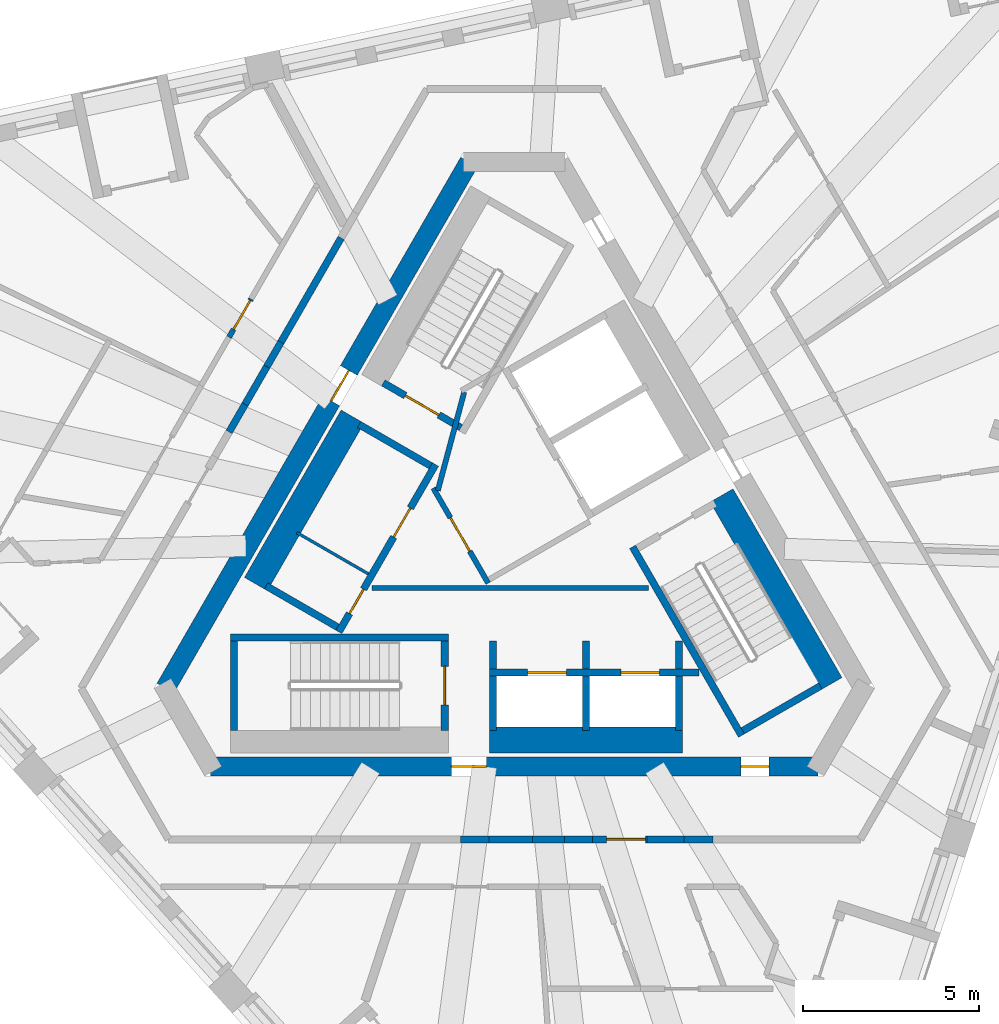
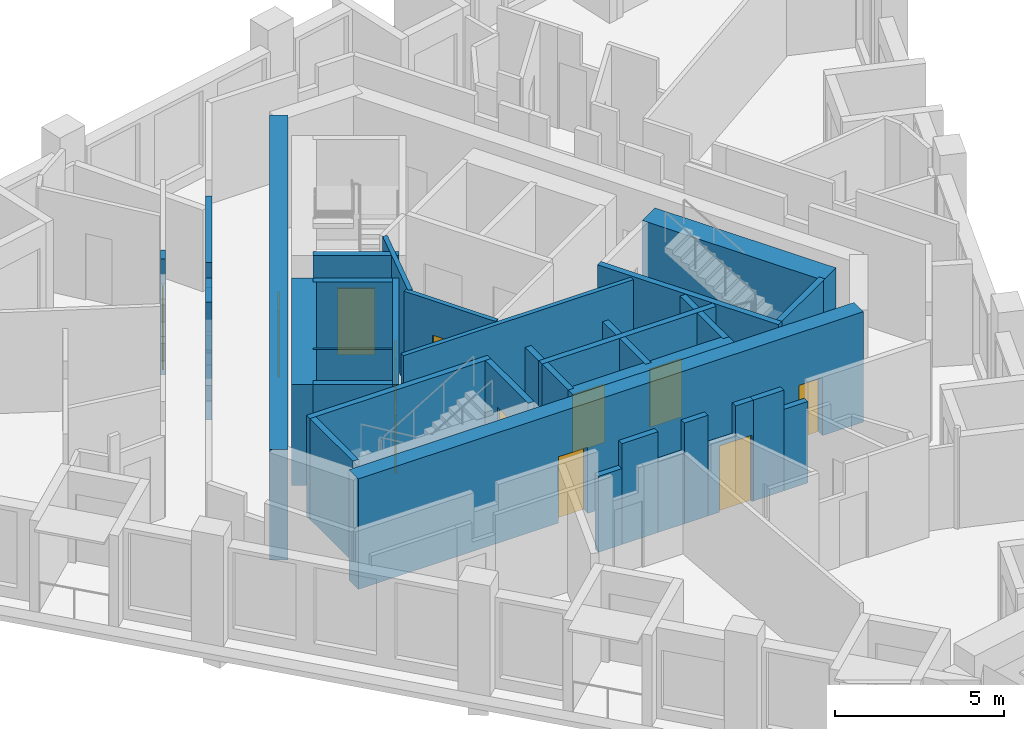
# One storey, part 4 of 12: 37 walls, 12 doors, 12 openings.
"""IFC4 building model written with IfcOpenShell, lengths in metres."""

from ifc_helpers import new_model, si_unit, direction, frame, frame_2d, origin, place, context, subcontext, project, spatial, polyline, rectangle, outline, extrude, material, layer, layer_set, type_object, element, fill, save


model = new_model("IFC4")

# Units and contexts
model_context = context("Model", 3, precision=1e-05, world=origin(), true_north=direction((0.0, 1.0)))
body_context = subcontext(model_context, "Body", "Model", "MODEL_VIEW")
ifc_project = project(units=[si_unit("LENGTHUNIT", "METRE"), si_unit("AREAUNIT", "SQUARE_METRE"), si_unit("VOLUMEUNIT", "CUBIC_METRE"), si_unit("PLANEANGLEUNIT", "RADIAN"), si_unit("MASSUNIT", "GRAM", prefix="KILO")], contexts=[model_context])

# Site, building, storey
site_placement = place(None, origin())
site = spatial("IfcSite", under=ifc_project, at=site_placement, CompositionType="ELEMENT")
building_placement = place(site_placement, origin())
building = spatial("IfcBuilding", under=site, at=building_placement, Name="Tramontana Tower", CompositionType="ELEMENT")
storey_placement = place(building_placement, frame((0.0, 0.0, 340.39990234375)))
storey = spatial("IfcBuildingStorey", under=building, at=storey_placement, Name="L78", CompositionType="ELEMENT", Elevation=340.39990234375)

# Wall, opening, door
ifc_material_1 = material(Name="Concrete 70 MPa", Category="concrete")
ifc_layer_1 = layer(ifc_material_1, 0.550048828125)
ifc_layer_set_1 = layer_set([ifc_layer_1], Name="Core wall 550 70 MPa")
wall_type_1 = type_object("IfcWallType", Name="Core wall 550 70 MPa", PredefinedType="SHEAR", material=ifc_layer_set_1)
wall_1_placement = place(storey_placement, frame((-1.28466796875, 10.72509765625, 0.0), z_axis=(0.0, 0.0, 1.0), x_axis=(-0.499994590896, -0.86602852671, 0.0)))
wall_1 = element("IfcWall", 1, at=wall_1_placement, inside=storey, type_object=wall_type_1, Name="Core wall C1 L78", PredefinedType="SHEAR", context=body_context, shape_type="SweptSolid", body=[
    extrude(rectangle(XDim=17.291748046875, YDim=0.550048828125, at=frame_2d((8.64599609375, 0.0))), origin(), (0.0, 0.0, 1.0), 4.0),
])
opening_1_placement = place(wall_1_placement, frame((6.850830078125, 0.0, 0.0)))
opening_1 = element("IfcOpeningElement", 2, at=opening_1_placement, cuts=wall_1, Name="Opening RG1", PredefinedType="OPENING", context=body_context, shape_type="SweptSolid", body=[
    extrude(rectangle(XDim=1.0, YDim=2.39990234375, at=frame_2d((0.5, 1.199951171875))), frame((0.0, 0.284912109375, 0.0), z_axis=(0.0, -1.0, 0.0), x_axis=(1.0, 0.0, 0.0)), (0.0, 0.0, 1.0), 0.570068359375),
])
ifc_material_2 = material(Name="Painted steel", Category="steel")
door_type_1 = type_object("IfcDoorType", Name="RING DOOR 1000", OperationType="SINGLE_SWING_LEFT", PredefinedType="DOOR", material=ifc_material_2)
door_1_placement = place(opening_1_placement, origin())
door_1 = element("IfcDoor", 3, at=door_1_placement, inside=storey, type_object=door_type_1, Name="Door RG1", OperationType="SINGLE_SWING_RIGHT", OverallHeight=2.39990234375, OverallWidth=1.0, PredefinedType="DOOR", context=body_context, shape_type="SweptSolid", body=[
    extrude(rectangle(XDim=1.0, YDim=2.39990234375, at=frame_2d((0.5, 1.199951171875))), frame((0.0, 0.02490234375, 0.0), z_axis=(0.0, -1.0, 0.0), x_axis=(1.0, 0.0, 0.0)), (0.0, 0.0, 1.0), 0.050048828125),
])
fill(opening_1, door_1)

# Wall, openings, doors
wall_2_placement = place(storey_placement, frame((-8.645751953125, -6.47509765625, 0.0), z_axis=(0.0, 0.0, 1.0), x_axis=(1.0, 0.0, 0.0)))
wall_2 = element("IfcWall", 4, at=wall_2_placement, inside=storey, type_object=wall_type_1, Name="Core wall C3 L78", PredefinedType="SHEAR", context=body_context, shape_type="SweptSolid", body=[
    extrude(rectangle(XDim=17.29150390625, YDim=0.550048828125, at=frame_2d((8.645751953125, 0.0))), origin(), (0.0, 0.0, 1.0), 4.0),
])
opening_2_placement = place(wall_2_placement, frame((6.850830078125, 0.0, 0.0)))
opening_2 = element("IfcOpeningElement", 5, at=opening_2_placement, cuts=wall_2, Name="Opening RG2", PredefinedType="OPENING", context=body_context, shape_type="SweptSolid", body=[
    extrude(rectangle(XDim=1.0, YDim=2.39990234375, at=frame_2d((0.5, 1.199951171875))), frame((0.0, 0.284912109375, 0.0), z_axis=(0.0, -1.0, 0.0), x_axis=(1.0, 0.0, 0.0)), (0.0, 0.0, 1.0), 0.570068359375),
])
opening_3_placement = place(wall_2_placement, frame((15.088623046875, 0.0, 0.0)))
opening_3 = element("IfcOpeningElement", 6, at=opening_3_placement, cuts=wall_2, Name="Opening PD2", PredefinedType="OPENING", context=body_context, shape_type="SweptSolid", body=[
    extrude(rectangle(XDim=0.800048828125, YDim=2.10009765625, at=frame_2d((0.39990234375, 1.050048828125))), frame((0.0, 0.284912109375, 0.0), z_axis=(0.0, -1.0, 0.0), x_axis=(1.0, 0.0, 0.0)), (0.0, 0.0, 1.0), 0.570068359375),
])
ifc_material_3 = material(Name="Painted steel", Category="steel")
door_type_2 = type_object("IfcDoorType", Name="CUPBOARD DOOR 800", OperationType="SINGLE_SWING_LEFT", PredefinedType="DOOR", material=ifc_material_3)
door_2_placement = place(opening_3_placement, origin())
door_2 = element("IfcDoor", 7, at=door_2_placement, inside=storey, type_object=door_type_2, Name="Door PD2", OperationType="SINGLE_SWING_LEFT", OverallHeight=2.10009765625, OverallWidth=0.800048828125, PredefinedType="DOOR", context=body_context, shape_type="SweptSolid", body=[
    extrude(rectangle(XDim=0.800048828125, YDim=2.10009765625, at=frame_2d((0.39990234375, 1.050048828125))), frame((0.0, 0.02490234375, 0.0), z_axis=(0.0, -1.0, 0.0), x_axis=(1.0, 0.0, 0.0)), (0.0, 0.0, 1.0), 0.050048828125),
])
fill(opening_3, door_2)
door_3_placement = place(opening_2_placement, origin())
door_3 = element("IfcDoor", 8, at=door_3_placement, inside=storey, type_object=door_type_1, Name="Door RG2", OperationType="SINGLE_SWING_LEFT", OverallHeight=2.39990234375, OverallWidth=1.0, PredefinedType="DOOR", context=body_context, shape_type="SweptSolid", body=[
    extrude(rectangle(XDim=1.0, YDim=2.39990234375, at=frame_2d((0.5, 1.199951171875))), frame((0.0, 0.02490234375, 0.0), z_axis=(0.0, -1.0, 0.0), x_axis=(1.0, 0.0, 0.0)), (0.0, 0.0, 1.0), 0.050048828125),
])
fill(opening_2, door_3)

# Walls
ifc_material_4 = material(Name="Blockwork", Category="masonry")
ifc_layer_2 = layer(ifc_material_4, 0.199951171875)
ifc_layer_set_2 = layer_set([ifc_layer_2], Name="ENTRY WALL 200")
wall_type_2 = type_object("IfcWallType", Name="ENTRY WALL 200", PredefinedType="SOLIDWALL", material=ifc_layer_set_2)
wall_3_placement = place(storey_placement, frame((5.6494140625, -8.550048828125, 0.0), z_axis=(0.0, 0.0, 1.0), x_axis=(-1.0, 0.0, 0.0)))
element("IfcWall", 9, at=wall_3_placement, inside=storey, type_object=wall_type_2, Name="Wall v81-ew1-1", PredefinedType="SOLIDWALL", context=body_context, shape_type="SweptSolid", body=[
    extrude(rectangle(XDim=0.821044921875, YDim=0.199951171875, at=frame_2d((0.41064453125, 0.0))), origin(), (0.0, 0.0, 1.0), 2.9501953125),
])
wall_4_placement = place(storey_placement, frame((4.828369140625, -8.550048828125, 0.0), z_axis=(0.0, 0.0, 1.0), x_axis=(-1.0, 0.0, 0.0)))
element("IfcWall", 10, at=wall_4_placement, inside=storey, type_object=wall_type_2, Name="Wall v81-ew1-2", PredefinedType="SOLIDWALL", context=body_context, shape_type="SweptSolid", body=[
    extrude(rectangle(XDim=1.050048828125, YDim=0.199951171875, at=frame_2d((0.52490234375, 0.0))), origin(), (0.0, 0.0, 1.0), 3.650146484375),
])

# Wall, opening, door
wall_5_placement = place(storey_placement, frame((3.7783203125, -8.550048828125, 0.0), z_axis=(0.0, 0.0, 1.0), x_axis=(-1.0, 0.0, 0.0)))
wall_5 = element("IfcWall", 11, at=wall_5_placement, inside=storey, type_object=wall_type_2, Name="Wall v81-ew1-3", PredefinedType="SOLIDWALL", context=body_context, shape_type="SweptSolid", body=[
    extrude(outline(polyline([(0.0, 0.0), (1.54931640625, 0.0), (1.549072265625, 2.550048828125), (0.605224609375, 2.550048828125), (0.605224609375, 3.650146484375), (0.0, 3.650146484375), (0.0, 0.0)])), frame((0.0, 0.10009765625, 0.0), z_axis=(0.0, -1.0, 0.0), x_axis=(1.0, 0.0, 0.0)), (0.0, 0.0, 1.0), 0.199951171875),
])
opening_4_placement = place(wall_5_placement, frame((0.050048828125, 0.0, 0.0)))
opening_4 = element("IfcOpeningElement", 12, at=opening_4_placement, cuts=wall_5, Name="Opening B8B-17", PredefinedType="OPENING", context=body_context, shape_type="SweptSolid", body=[
    extrude(rectangle(XDim=1.10009765625, YDim=2.39990234375, at=frame_2d((0.550048828125, 1.199951171875))), frame((0.0, 0.10986328125, 0.0), z_axis=(0.0, -1.0, 0.0), x_axis=(1.0, 0.0, 0.0)), (0.0, 0.0, 1.0), 0.219970703125),
])
ifc_material_5 = material(Name="Painted timber", Category="wood")
door_type_3 = type_object("IfcDoorType", Name="DOOR ENTRY 1100", OperationType="SINGLE_SWING_LEFT", PredefinedType="DOOR", material=ifc_material_5)
door_4_placement = place(opening_4_placement, origin())
door_4 = element("IfcDoor", 13, at=door_4_placement, inside=storey, type_object=door_type_3, Name="Door B8B-17", OperationType="SINGLE_SWING_LEFT", OverallHeight=2.39990234375, OverallWidth=1.10009765625, PredefinedType="DOOR", context=body_context, shape_type="SweptSolid", body=[
    extrude(rectangle(XDim=1.10009765625, YDim=2.39990234375, at=frame_2d((0.550048828125, 1.199951171875))), frame((0.0, 0.02490234375, 0.0), z_axis=(0.0, -1.0, 0.0), x_axis=(1.0, 0.0, 0.0)), (0.0, 0.0, 1.0), 0.050048828125),
])
fill(opening_4, door_4)

# Walls
wall_6_placement = place(storey_placement, frame((2.22900390625, -8.550048828125, 0.0), z_axis=(0.0, 0.0, 1.0), x_axis=(-1.0, 0.0, 0.0)))
element("IfcWall", 14, at=wall_6_placement, inside=storey, type_object=wall_type_2, Name="Wall v81-ew1-4", PredefinedType="SOLIDWALL", context=body_context, shape_type="SweptSolid", body=[
    extrude(rectangle(XDim=0.806640625, YDim=0.199951171875, at=frame_2d((0.4033203125, 0.0))), origin(), (0.0, 0.0, 1.0), 3.650146484375),
])
wall_7_placement = place(storey_placement, frame((1.42236328125, -8.550048828125, 0.0), z_axis=(0.0, 0.0, 1.0), x_axis=(-1.0, 0.0, 0.0)))
element("IfcWall", 15, at=wall_7_placement, inside=storey, type_object=wall_type_2, Name="Wall v81-ew1-5", PredefinedType="SOLIDWALL", context=body_context, shape_type="SweptSolid", body=[
    extrude(rectangle(XDim=0.90576171875, YDim=0.199951171875, at=frame_2d((0.452880859375, 0.0))), origin(), (0.0, 0.0, 1.0), 2.550048828125),
])
wall_8_placement = place(storey_placement, frame((0.5166015625, -8.550048828125, 0.0), z_axis=(0.0, 0.0, 1.0), x_axis=(-1.0, 0.0, 0.0)))
element("IfcWall", 16, at=wall_8_placement, inside=storey, type_object=wall_type_2, Name="Wall v81-ew1-6", PredefinedType="SOLIDWALL", context=body_context, shape_type="SweptSolid", body=[
    extrude(rectangle(XDim=1.23828125, YDim=0.199951171875, at=frame_2d((0.619140625, 0.0))), origin(), (0.0, 0.0, 1.0), 3.650146484375),
])
wall_9_placement = place(storey_placement, frame((-0.7216796875, -8.550048828125, 0.0), z_axis=(0.0, 0.0, 1.0), x_axis=(-1.0, 0.0, 0.0)))
element("IfcWall", 17, at=wall_9_placement, inside=storey, type_object=wall_type_2, Name="Wall v81-ew1-7", PredefinedType="SOLIDWALL", context=body_context, shape_type="SweptSolid", body=[
    extrude(rectangle(XDim=0.806884765625, YDim=0.199951171875, at=frame_2d((0.4033203125, 0.0))), origin(), (0.0, 0.0, 1.0), 2.75),
])
wall_10_placement = place(storey_placement, frame((-8.11572265625, 3.043212890625, 0.0), z_axis=(0.0, 0.0, 1.0), x_axis=(0.499994660107, 0.866028486751, 0.0)))
element("IfcWall", 18, at=wall_10_placement, inside=storey, type_object=wall_type_2, Name="Wall v81-ew3-5", PredefinedType="SOLIDWALL", context=body_context, shape_type="SweptSolid", body=[
    extrude(rectangle(XDim=0.90576171875, YDim=0.199951171875, at=frame_2d((0.452880859375, 0.0))), origin(), (0.0, 0.0, 1.0), 2.550048828125),
])
wall_11_placement = place(storey_placement, frame((-7.662841796875, 3.82763671875, 0.0), z_axis=(0.0, 0.0, 1.0), x_axis=(0.499955681623, 0.866050989499, 0.0)))
element("IfcWall", 19, at=wall_11_placement, inside=storey, type_object=wall_type_2, Name="Wall v81-ew3-6", PredefinedType="SOLIDWALL", context=body_context, shape_type="SweptSolid", body=[
    extrude(rectangle(XDim=1.23828125, YDim=0.199951171875, at=frame_2d((0.619140625, 0.0))), origin(), (0.0, 0.0, 1.0), 3.650146484375),
])
wall_12_placement = place(storey_placement, frame((-7.043701171875, 4.900146484375, 0.0), z_axis=(0.0, 0.0, 1.0), x_axis=(0.500141487433, 0.865943700565, 0.0)))
element("IfcWall", 20, at=wall_12_placement, inside=storey, type_object=wall_type_2, Name="Wall v81-ew3-7", PredefinedType="SOLIDWALL", context=body_context, shape_type="SweptSolid", body=[
    extrude(rectangle(XDim=0.806884765625, YDim=0.199951171875, at=frame_2d((0.4033203125, 0.0))), origin(), (0.0, 0.0, 1.0), 2.75),
])
wall_13_placement = place(storey_placement, frame((-6.64013671875, 5.598876953125, 0.0), z_axis=(0.0, 0.0, 1.0), x_axis=(0.499989998285, 0.8660311782, 0.0)))
element("IfcWall", 21, at=wall_13_placement, inside=storey, type_object=wall_type_2, Name="Wall v81-ew3-8", PredefinedType="SOLIDWALL", context=body_context, shape_type="SweptSolid", body=[
    extrude(rectangle(XDim=3.4228515625, YDim=0.199951171875, at=frame_2d((1.71142578125, 0.0))), origin(), (0.0, 0.0, 1.0), 3.650146484375),
])

# Wall, opening, door
ifc_material_6 = material(Name="Gypsum board partition")
ifc_layer_3 = layer(ifc_material_6, 0.14990234375)
ifc_layer_set_3 = layer_set([ifc_layer_3], Name="PARTITION 150")
wall_type_3 = type_object("IfcWallType", Name="PARTITION 150", PredefinedType="PARTITIONING", material=ifc_layer_set_3)
wall_14_placement = place(storey_placement, frame((-0.744140625, -1.260986328125, 0.0), z_axis=(0.0, 0.0, 1.0), x_axis=(-0.500004234368, 0.866022959057, 0.0)))
wall_14 = element("IfcWall", 22, at=wall_14_placement, inside=storey, type_object=wall_type_3, Name="Wall ff-front", PredefinedType="PARTITIONING", context=body_context, shape_type="SweptSolid", body=[
    extrude(rectangle(XDim=3.125, YDim=0.14990234375, at=frame_2d((1.5625, 0.0))), origin(), (0.0, 0.0, 1.0), 3.650146484375),
])
opening_5_placement = place(wall_14_placement, frame((1.050048828125, 0.0, 0.0)))
opening_5 = element("IfcOpeningElement", 23, at=opening_5_placement, cuts=wall_14, Name="Opening FD1", PredefinedType="OPENING", context=body_context, shape_type="SweptSolid", body=[
    extrude(rectangle(XDim=1.10009765625, YDim=2.39990234375, at=frame_2d((0.550048828125, 1.199951171875))), frame((0.0, 0.0849609375, 0.0), z_axis=(0.0, -1.0, 0.0), x_axis=(1.0, 0.0, 0.0)), (0.0, 0.0, 1.0), 0.169921875),
])
door_5_placement = place(opening_5_placement, origin())
door_5 = element("IfcDoor", 24, at=door_5_placement, inside=storey, type_object=door_type_3, Name="Door FD1", OperationType="SINGLE_SWING_LEFT", OverallHeight=2.39990234375, OverallWidth=1.10009765625, PredefinedType="DOOR", context=body_context, shape_type="SweptSolid", body=[
    extrude(rectangle(XDim=1.10009765625, YDim=2.39990234375, at=frame_2d((0.550048828125, 1.199951171875))), frame((0.0, 0.02490234375, 0.0), z_axis=(0.0, -1.0, 0.0), x_axis=(1.0, 0.0, 0.0)), (0.0, 0.0, 1.0), 0.050048828125),
])
fill(opening_5, door_5)

# Walls
wall_15_placement = place(storey_placement, frame((-2.177978515625, 1.372314453125, 0.0), z_axis=(0.0, 0.0, 1.0), x_axis=(0.258808958833, 0.96592852884, 0.0)))
element("IfcWall", 25, at=wall_15_placement, inside=storey, type_object=wall_type_3, Name="Wall ff-diag", PredefinedType="PARTITIONING", context=body_context, shape_type="SweptSolid", body=[
    extrude(rectangle(XDim=2.902587890625, YDim=0.14990234375, at=frame_2d((1.451171875, 0.0))), origin(), (0.0, 0.0, 1.0), 3.650146484375),
])
wall_16_placement = place(storey_placement, frame((-4.053466796875, -1.39990234375, 0.0), z_axis=(0.0, 0.0, 1.0), x_axis=(1.0, 0.0, 0.0)))
element("IfcWall", 26, at=wall_16_placement, inside=storey, type_object=wall_type_3, Name="Wall hub-cut1", PredefinedType="PARTITIONING", context=body_context, shape_type="SweptSolid", body=[
    extrude(rectangle(XDim=7.8759765625, YDim=0.14990234375, at=frame_2d((3.93798828125, 0.0))), origin(), (0.0, 0.0, 1.0), 3.650146484375),
])

# Wall, opening, door
wall_17_placement = place(storey_placement, frame((-8.11767578125, 5.73974609375, 0.0), z_axis=(0.0, 0.0, 1.0), x_axis=(0.499969537666, 0.866042990507, 0.0)))
wall_17 = element("IfcWall", 27, at=wall_17_placement, inside=storey, type_object=wall_type_3, Name="Wall v81-pw07-6", PredefinedType="PARTITIONING", context=body_context, shape_type="SweptSolid", body=[
    extrude(outline(polyline([(0.0, 0.0), (1.25439453125, 0.0), (1.25439453125, 3.650146484375), (0.78173828125, 3.650146484375), (0.78173828125, 2.75), (0.0, 2.75), (0.0, 0.0)])), frame((0.0, 0.074951171875, 0.0), z_axis=(0.0, -1.0, 0.0), x_axis=(1.0, 0.0, 0.0)), (0.0, 0.0, 1.0), 0.14990234375),
])
opening_6_placement = place(wall_17_placement, frame((0.25439453125, 0.0, 0.0)))
opening_6 = element("IfcOpeningElement", 28, at=opening_6_placement, cuts=wall_17, Name="Opening B8B-03", PredefinedType="OPENING", context=body_context, shape_type="SweptSolid", body=[
    extrude(rectangle(XDim=0.949951171875, YDim=2.39990234375, at=frame_2d((0.47509765625, 1.199951171875))), frame((0.0, 0.0849609375, 0.0), z_axis=(0.0, -1.0, 0.0), x_axis=(1.0, 0.0, 0.0)), (0.0, 0.0, 1.0), 0.169921875),
])
ifc_material_7 = material(Name="Painted timber", Category="wood")
door_type_4 = type_object("IfcDoorType", Name="DOOR ROOM 950", OperationType="SINGLE_SWING_LEFT", PredefinedType="DOOR", material=ifc_material_7)
door_6_placement = place(opening_6_placement, origin())
door_6 = element("IfcDoor", 29, at=door_6_placement, inside=storey, type_object=door_type_4, Name="Door B8B-03", OperationType="SINGLE_SWING_LEFT", OverallHeight=2.39990234375, OverallWidth=0.949951171875, PredefinedType="DOOR", context=body_context, shape_type="SweptSolid", body=[
    extrude(rectangle(XDim=0.949951171875, YDim=2.39990234375, at=frame_2d((0.47509765625, 1.199951171875))), frame((0.0, 0.02490234375, 0.0), z_axis=(0.0, -1.0, 0.0), x_axis=(1.0, 0.0, 0.0)), (0.0, 0.0, 1.0), 0.050048828125),
])
fill(opening_6, door_6)

# Walls
ifc_material_8 = material(Name="Gypsum board partition")
ifc_layer_4 = layer(ifc_material_8, 0.080078125)
ifc_layer_set_4 = layer_set([ifc_layer_4], Name="PARTITION 80")
wall_type_4 = type_object("IfcWallType", Name="PARTITION 80", PredefinedType="PARTITIONING", material=ifc_layer_set_4)
wall_18_placement = place(storey_placement, frame((-4.15478515625, -0.99609375, 0.0), z_axis=(0.0, 0.0, 1.0), x_axis=(-0.866016039709, 0.500016218704, 0.0)))
element("IfcWall", 30, at=wall_18_placement, inside=storey, type_object=wall_type_4, Name="Wall row0-split", PredefinedType="PARTITIONING", context=body_context, shape_type="SweptSolid", body=[
    extrude(rectangle(XDim=2.35009765625, YDim=0.080078125, at=frame_2d((1.175048828125, 0.0))), origin(), (0.0, 0.0, 1.0), 3.650146484375),
])
ifc_material_9 = material(Name="Concrete 70 MPa", Category="concrete")
ifc_layer_5 = layer(ifc_material_9, 0.75)
ifc_layer_set_5 = layer_set([ifc_layer_5], Name="Concrete 70 MPa, 750 mm")
wall_type_5 = type_object("IfcWallType", Name="RC SHAFT BACK WALL 750", PredefinedType="SOLIDWALL", material=ifc_layer_set_5)
wall_19_placement = place(storey_placement, frame((8.998046875, -4.135009765625, 0.0), z_axis=(0.0, 0.0, 1.0), x_axis=(-0.500009909098, 0.866019682689, 0.0)))
element("IfcWall", 31, at=wall_19_placement, inside=storey, type_object=wall_type_5, Name="Wall st3-back", PredefinedType="SOLIDWALL", context=body_context, shape_type="SweptSolid", body=[
    extrude(rectangle(XDim=6.199951171875, YDim=0.75, at=frame_2d((3.10009765625, 0.0))), origin(), (0.0, 0.0, 1.0), 3.650146484375),
])
wall_20_placement = place(storey_placement, frame((-4.60302734375, 3.477294921875, 0.0), z_axis=(0.0, 0.0, 1.0), x_axis=(-0.500015767406, -0.866016300277, 0.0)))
element("IfcWall", 32, at=wall_20_placement, inside=storey, type_object=wall_type_5, Name="Wall row0-back", PredefinedType="SOLIDWALL", context=body_context, shape_type="SweptSolid", body=[
    extrude(rectangle(XDim=5.499755859375, YDim=0.75, at=frame_2d((2.75, 0.0))), origin(), (0.0, 0.0, 1.0), 3.650146484375),
])
wall_21_placement = place(storey_placement, frame((-0.7099609375, -5.72509765625, 0.0), z_axis=(0.0, 0.0, 1.0), x_axis=(1.0, 0.0, 0.0)))
element("IfcWall", 33, at=wall_21_placement, inside=storey, type_object=wall_type_5, Name="Wall row1-back", PredefinedType="SOLIDWALL", context=body_context, shape_type="SweptSolid", body=[
    extrude(rectangle(XDim=5.5, YDim=0.75, at=frame_2d((2.75, 0.0))), origin(), (0.0, 0.0, 1.0), 3.650146484375),
])

# Wall, opening, door
ifc_material_10 = material(Name="Concrete 70 MPa", Category="concrete")
ifc_layer_6 = layer(ifc_material_10, 0.199951171875)
ifc_layer_set_6 = layer_set([ifc_layer_6], Name="Concrete 70 MPa, 200 mm")
wall_type_6 = type_object("IfcWallType", Name="RC STAIR AND SHAFT WALL 200", PredefinedType="SOLIDWALL", material=ifc_layer_set_6)
wall_22_placement = place(storey_placement, frame((-1.521484375, 3.164794921875, 0.0), z_axis=(0.0, 0.0, 1.0), x_axis=(-0.866030925526, 0.499990435942, 0.0)))
wall_22 = element("IfcWall", 34, at=wall_22_placement, inside=storey, type_object=wall_type_6, Name="Wall st1-near", PredefinedType="SOLIDWALL", context=body_context, shape_type="SweptSolid", body=[
    extrude(rectangle(XDim=2.5498046875, YDim=0.199951171875, at=frame_2d((1.27490234375, 0.0))), origin(), (0.0, 0.0, 1.0), 3.650146484375),
])
opening_7_placement = place(wall_22_placement, frame((0.72509765625, 0.0, 0.0)))
opening_7 = element("IfcOpeningElement", 35, at=opening_7_placement, cuts=wall_22, Name="Opening SD1", PredefinedType="OPENING", context=body_context, shape_type="SweptSolid", body=[
    extrude(rectangle(XDim=1.10009765625, YDim=2.39990234375, at=frame_2d((0.550048828125, 1.199951171875))), frame((0.0, 0.10986328125, 0.0), z_axis=(0.0, -1.0, 0.0), x_axis=(1.0, 0.0, 0.0)), (0.0, 0.0, 1.0), 0.219970703125),
])
ifc_material_11 = material(Name="Painted steel", Category="steel")
door_type_5 = type_object("IfcDoorType", Name="STAIR DOOR 1100", OperationType="SINGLE_SWING_LEFT", PredefinedType="DOOR", material=ifc_material_11)
door_7_placement = place(opening_7_placement, origin())
door_7 = element("IfcDoor", 36, at=door_7_placement, inside=storey, type_object=door_type_5, Name="Door SD1", OperationType="SINGLE_SWING_RIGHT", OverallHeight=2.39990234375, OverallWidth=1.10009765625, PredefinedType="DOOR", context=body_context, shape_type="SweptSolid", body=[
    extrude(rectangle(XDim=1.10009765625, YDim=2.39990234375, at=frame_2d((0.550048828125, 1.199951171875))), frame((0.0, 0.02490234375, 0.0), z_axis=(0.0, -1.0, 0.0), x_axis=(1.0, 0.0, 0.0)), (0.0, 0.0, 1.0), 0.050048828125),
])
fill(opening_7, door_7)

# Walls
wall_23_placement = place(storey_placement, frame((-8.080078125, -2.800048828125, 0.0), z_axis=(0.0, 0.0, 1.0), x_axis=(1.0, 0.0, 0.0)))
element("IfcWall", 37, at=wall_23_placement, inside=storey, type_object=wall_type_6, Name="Wall st2-front", PredefinedType="SOLIDWALL", context=body_context, shape_type="SweptSolid", body=[
    extrude(rectangle(XDim=6.2001953125, YDim=0.199951171875, at=frame_2d((3.10009765625, 0.0))), origin(), (0.0, 0.0, 1.0), 3.650146484375),
])
wall_24_placement = place(storey_placement, frame((-7.97998046875, -2.89990234375, 0.0), z_axis=(0.0, 0.0, 1.0), x_axis=(0.0, -1.0, 0.0)))
element("IfcWall", 38, at=wall_24_placement, inside=storey, type_object=wall_type_6, Name="Wall st2-far", PredefinedType="SOLIDWALL", context=body_context, shape_type="SweptSolid", body=[
    extrude(rectangle(XDim=2.550048828125, YDim=0.199951171875, at=frame_2d((1.27490234375, 0.0))), origin(), (0.0, 0.0, 1.0), 3.650146484375),
])

# Wall, opening, door
wall_25_placement = place(storey_placement, frame((-1.97998046875, -2.89990234375, 0.0), z_axis=(0.0, 0.0, 1.0), x_axis=(0.0, -1.0, 0.0)))
wall_25 = element("IfcWall", 39, at=wall_25_placement, inside=storey, type_object=wall_type_6, Name="Wall st2-near", PredefinedType="SOLIDWALL", context=body_context, shape_type="SweptSolid", body=[
    extrude(rectangle(XDim=2.550048828125, YDim=0.199951171875, at=frame_2d((1.27490234375, 0.0))), origin(), (0.0, 0.0, 1.0), 3.650146484375),
])
opening_8_placement = place(wall_25_placement, frame((0.72509765625, 0.0, 0.0)))
opening_8 = element("IfcOpeningElement", 40, at=opening_8_placement, cuts=wall_25, Name="Opening SD2", PredefinedType="OPENING", context=body_context, shape_type="SweptSolid", body=[
    extrude(rectangle(XDim=1.10009765625, YDim=2.39990234375, at=frame_2d((0.550048828125, 1.199951171875))), frame((0.0, 0.10986328125, 0.0), z_axis=(0.0, -1.0, 0.0), x_axis=(1.0, 0.0, 0.0)), (0.0, 0.0, 1.0), 0.219970703125),
])
door_8_placement = place(opening_8_placement, origin())
door_8 = element("IfcDoor", 41, at=door_8_placement, inside=storey, type_object=door_type_5, Name="Door SD2", OperationType="SINGLE_SWING_LEFT", OverallHeight=2.39990234375, OverallWidth=1.10009765625, PredefinedType="DOOR", context=body_context, shape_type="SweptSolid", body=[
    extrude(rectangle(XDim=1.10009765625, YDim=2.39990234375, at=frame_2d((0.550048828125, 1.199951171875))), frame((0.0, 0.02490234375, 0.0), z_axis=(0.0, -1.0, 0.0), x_axis=(1.0, 0.0, 0.0)), (0.0, 0.0, 1.0), 0.050048828125),
])
fill(opening_8, door_8)

# Walls
wall_26_placement = place(storey_placement, frame((6.46484375, -5.597412109375, 0.0), z_axis=(0.0, 0.0, 1.0), x_axis=(-0.49998037582, 0.866036733513, 0.0)))
element("IfcWall", 42, at=wall_26_placement, inside=storey, type_object=wall_type_6, Name="Wall st3-front", PredefinedType="SOLIDWALL", context=body_context, shape_type="SweptSolid", body=[
    extrude(rectangle(XDim=6.199951171875, YDim=0.199951171875, at=frame_2d((3.10009765625, 0.0))), origin(), (0.0, 0.0, 1.0), 3.650146484375),
])
wall_27_placement = place(storey_placement, frame((6.50146484375, -5.4609375, 0.0), z_axis=(0.0, 0.0, 1.0), x_axis=(0.865989465428, 0.500062241894, 0.0)))
element("IfcWall", 43, at=wall_27_placement, inside=storey, type_object=wall_type_6, Name="Wall st3-far", PredefinedType="SOLIDWALL", context=body_context, shape_type="SweptSolid", body=[
    extrude(rectangle(XDim=2.550048828125, YDim=0.199951171875, at=frame_2d((1.27490234375, 0.0))), origin(), (0.0, 0.0, 1.0), 3.650146484375),
])

# Wall, openings, doors
wall_28_placement = place(storey_placement, frame((-4.9931640625, -2.648193359375, 0.0), z_axis=(0.0, 0.0, 1.0), x_axis=(0.499996545922, 0.866027397988, 0.0)))
wall_28 = element("IfcWall", 44, at=wall_28_placement, inside=storey, type_object=wall_type_6, Name="Wall row0-front", PredefinedType="SOLIDWALL", context=body_context, shape_type="SweptSolid", body=[
    extrude(rectangle(XDim=5.5, YDim=0.199951171875, at=frame_2d((2.75, 0.0))), origin(), (0.0, 0.0, 1.0), 3.650146484375),
])
opening_9_placement = place(wall_28_placement, frame((3.1201171875, 0.0, 0.0)))
opening_9 = element("IfcOpeningElement", 45, at=opening_9_placement, cuts=wall_28, Name="Opening RD-0A", PredefinedType="OPENING", context=body_context, shape_type="SweptSolid", body=[
    extrude(rectangle(XDim=0.949951171875, YDim=2.39990234375, at=frame_2d((0.47509765625, 1.199951171875))), frame((0.0, 0.10986328125, 0.0), z_axis=(0.0, -1.0, 0.0), x_axis=(1.0, 0.0, 0.0)), (0.0, 0.0, 1.0), 0.219970703125),
])
opening_10_placement = place(wall_28_placement, frame((0.60498046875, 0.0, 0.0)))
opening_10 = element("IfcOpeningElement", 46, at=opening_10_placement, cuts=wall_28, Name="Opening RD-0B", PredefinedType="OPENING", context=body_context, shape_type="SweptSolid", body=[
    extrude(rectangle(XDim=0.800048828125, YDim=2.10009765625, at=frame_2d((0.39990234375, 1.050048828125))), frame((0.0, 0.10986328125, 0.0), z_axis=(0.0, -1.0, 0.0), x_axis=(1.0, 0.0, 0.0)), (0.0, 0.0, 1.0), 0.219970703125),
])
door_9_placement = place(opening_10_placement, origin())
door_9 = element("IfcDoor", 47, at=door_9_placement, inside=storey, type_object=door_type_2, Name="Door RD-0B", OperationType="SINGLE_SWING_RIGHT", OverallHeight=2.10009765625, OverallWidth=0.800048828125, PredefinedType="DOOR", context=body_context, shape_type="SweptSolid", body=[
    extrude(rectangle(XDim=0.800048828125, YDim=2.10009765625, at=frame_2d((0.39990234375, 1.050048828125))), frame((0.0, 0.02490234375, 0.0), z_axis=(0.0, -1.0, 0.0), x_axis=(1.0, 0.0, 0.0)), (0.0, 0.0, 1.0), 0.050048828125),
])
fill(opening_10, door_9)
door_10_placement = place(opening_9_placement, origin())
door_10 = element("IfcDoor", 48, at=door_10_placement, inside=storey, type_object=door_type_4, Name="Door RD-0A", OperationType="SINGLE_SWING_LEFT", OverallHeight=2.39990234375, OverallWidth=0.949951171875, PredefinedType="DOOR", context=body_context, shape_type="SweptSolid", body=[
    extrude(rectangle(XDim=0.949951171875, YDim=2.39990234375, at=frame_2d((0.47509765625, 1.199951171875))), frame((0.0, 0.02490234375, 0.0), z_axis=(0.0, -1.0, 0.0), x_axis=(1.0, 0.0, 0.0)), (0.0, 0.0, 1.0), 0.050048828125),
])
fill(opening_9, door_10)

# Walls
wall_29_placement = place(storey_placement, frame((-2.379638671875, 2.078369140625, 0.0), z_axis=(0.0, 0.0, 1.0), x_axis=(-0.866061024631, 0.499938297808, 0.0)))
element("IfcWall", 49, at=wall_29_placement, inside=storey, type_object=wall_type_6, Name="Wall row0-side0", PredefinedType="SOLIDWALL", context=body_context, shape_type="SweptSolid", body=[
    extrude(rectangle(XDim=2.349853515625, YDim=0.199951171875, at=frame_2d((1.1748046875, 0.0))), origin(), (0.0, 0.0, 1.0), 3.650146484375),
])
wall_30_placement = place(storey_placement, frame((-5.02978515625, -2.51171875, 0.0), z_axis=(0.0, 0.0, 1.0), x_axis=(-0.866016039709, 0.500016218704, 0.0)))
element("IfcWall", 50, at=wall_30_placement, inside=storey, type_object=wall_type_6, Name="Wall row0-side2", PredefinedType="SOLIDWALL", context=body_context, shape_type="SweptSolid", body=[
    extrude(rectangle(XDim=2.35009765625, YDim=0.199951171875, at=frame_2d((1.175048828125, 0.0))), origin(), (0.0, 0.0, 1.0), 3.650146484375),
])

# Wall, openings, doors
wall_31_placement = place(storey_placement, frame((-0.7099609375, -3.800048828125, 0.0), z_axis=(0.0, 0.0, 1.0), x_axis=(1.0, 0.0, 0.0)))
wall_31 = element("IfcWall", 51, at=wall_31_placement, inside=storey, type_object=wall_type_6, Name="Wall row1-front", PredefinedType="SOLIDWALL", context=body_context, shape_type="SweptSolid", body=[
    extrude(rectangle(XDim=5.96142578125, YDim=0.199951171875, at=frame_2d((2.980712890625, 0.0))), origin(), (0.0, 0.0, 1.0), 3.650146484375),
])
opening_11_placement = place(wall_31_placement, frame((1.090087890625, 0.0, 0.0)))
opening_11 = element("IfcOpeningElement", 52, at=opening_11_placement, cuts=wall_31, Name="Opening LD-S1", PredefinedType="OPENING", context=body_context, shape_type="SweptSolid", body=[
    extrude(rectangle(XDim=1.10009765625, YDim=2.10009765625, at=frame_2d((0.550048828125, 1.050048828125))), frame((0.0, 0.10986328125, 0.0), z_axis=(0.0, -1.0, 0.0), x_axis=(1.0, 0.0, 0.0)), (0.0, 0.0, 1.0), 0.219970703125),
])
opening_12_placement = place(wall_31_placement, frame((3.739990234375, 0.0, 0.0)))
opening_12 = element("IfcOpeningElement", 53, at=opening_12_placement, cuts=wall_31, Name="Opening LD-S2", PredefinedType="OPENING", context=body_context, shape_type="SweptSolid", body=[
    extrude(rectangle(XDim=1.10009765625, YDim=2.10009765625, at=frame_2d((0.550048828125, 1.050048828125))), frame((0.0, 0.10986328125, 0.0), z_axis=(0.0, -1.0, 0.0), x_axis=(1.0, 0.0, 0.0)), (0.0, 0.0, 1.0), 0.219970703125),
])
ifc_material_12 = material(Name="Brushed steel", Category="steel")
door_type_6 = type_object("IfcDoorType", Name="LANDING DOOR 1100", OperationType="SINGLE_SWING_LEFT", PredefinedType="DOOR", material=ifc_material_12)
door_11_placement = place(opening_11_placement, origin())
door_11 = element("IfcDoor", 54, at=door_11_placement, inside=storey, type_object=door_type_6, Name="Door LD-S1", OperationType="SLIDING_TO_LEFT", OverallHeight=2.10009765625, OverallWidth=1.10009765625, PredefinedType="DOOR", context=body_context, shape_type="SweptSolid", body=[
    extrude(rectangle(XDim=1.10009765625, YDim=2.10009765625, at=frame_2d((0.550048828125, 1.050048828125))), frame((0.0, 0.02490234375, 0.0), z_axis=(0.0, -1.0, 0.0), x_axis=(1.0, 0.0, 0.0)), (0.0, 0.0, 1.0), 0.050048828125),
])
fill(opening_11, door_11)
door_12_placement = place(opening_12_placement, origin())
door_12 = element("IfcDoor", 55, at=door_12_placement, inside=storey, type_object=door_type_6, Name="Door LD-S2", OperationType="SLIDING_TO_RIGHT", OverallHeight=2.10009765625, OverallWidth=1.10009765625, PredefinedType="DOOR", context=body_context, shape_type="SweptSolid", body=[
    extrude(rectangle(XDim=1.10009765625, YDim=2.10009765625, at=frame_2d((0.550048828125, 1.050048828125))), frame((0.0, 0.02490234375, 0.0), z_axis=(0.0, -1.0, 0.0), x_axis=(1.0, 0.0, 0.0)), (0.0, 0.0, 1.0), 0.050048828125),
])
fill(opening_12, door_12)

# Walls
wall_32_placement = place(storey_placement, frame((-0.610107421875, -3.89990234375, 0.0), z_axis=(0.0, 0.0, 1.0), x_axis=(0.0, -1.0, 0.0)))
element("IfcWall", 56, at=wall_32_placement, inside=storey, type_object=wall_type_6, Name="Wall row1-side0", PredefinedType="SOLIDWALL", context=body_context, shape_type="SweptSolid", body=[
    extrude(rectangle(XDim=1.550048828125, YDim=0.199951171875, at=frame_2d((0.77490234375, 0.0))), origin(), (0.0, 0.0, 1.0), 3.650146484375),
])
wall_33_placement = place(storey_placement, frame((-0.610107421875, -2.89990234375, 0.0), z_axis=(0.0, 0.0, 1.0), x_axis=(0.0, -1.0, 0.0)))
element("IfcWall", 57, at=wall_33_placement, inside=storey, type_object=wall_type_6, Name="Wall row1-side0-ret", PredefinedType="SOLIDWALL", context=body_context, shape_type="SweptSolid", body=[
    extrude(rectangle(XDim=0.800048828125, YDim=0.199951171875, at=frame_2d((0.39990234375, 0.0))), origin(), (0.0, 0.0, 1.0), 3.650146484375),
])
wall_34_placement = place(storey_placement, frame((2.0400390625, -3.89990234375, 0.0), z_axis=(0.0, 0.0, 1.0), x_axis=(0.0, -1.0, 0.0)))
element("IfcWall", 58, at=wall_34_placement, inside=storey, type_object=wall_type_6, Name="Wall row1-side1", PredefinedType="SOLIDWALL", context=body_context, shape_type="SweptSolid", body=[
    extrude(rectangle(XDim=1.550048828125, YDim=0.199951171875, at=frame_2d((0.77490234375, 0.0))), origin(), (0.0, 0.0, 1.0), 3.650146484375),
])
wall_35_placement = place(storey_placement, frame((2.0400390625, -2.89990234375, 0.0), z_axis=(0.0, 0.0, 1.0), x_axis=(0.0, -1.0, 0.0)))
element("IfcWall", 59, at=wall_35_placement, inside=storey, type_object=wall_type_6, Name="Wall row1-side1-ret", PredefinedType="SOLIDWALL", context=body_context, shape_type="SweptSolid", body=[
    extrude(rectangle(XDim=0.800048828125, YDim=0.199951171875, at=frame_2d((0.39990234375, 0.0))), origin(), (0.0, 0.0, 1.0), 3.650146484375),
])
wall_36_placement = place(storey_placement, frame((4.68994140625, -3.89990234375, 0.0), z_axis=(0.0, 0.0, 1.0), x_axis=(0.0, -1.0, 0.0)))
element("IfcWall", 60, at=wall_36_placement, inside=storey, type_object=wall_type_6, Name="Wall row1-side2", PredefinedType="SOLIDWALL", context=body_context, shape_type="SweptSolid", body=[
    extrude(rectangle(XDim=1.550048828125, YDim=0.199951171875, at=frame_2d((0.77490234375, 0.0))), origin(), (0.0, 0.0, 1.0), 3.650146484375),
])
wall_37_placement = place(storey_placement, frame((4.68994140625, -2.89990234375, 0.0), z_axis=(0.0, 0.0, 1.0), x_axis=(0.0, -1.0, 0.0)))
element("IfcWall", 61, at=wall_37_placement, inside=storey, type_object=wall_type_6, Name="Wall row1-side2-ret", PredefinedType="SOLIDWALL", context=body_context, shape_type="SweptSolid", body=[
    extrude(rectangle(XDim=0.800048828125, YDim=0.199951171875, at=frame_2d((0.39990234375, 0.0))), origin(), (0.0, 0.0, 1.0), 3.650146484375),
])

save(model, "model.ifc")
